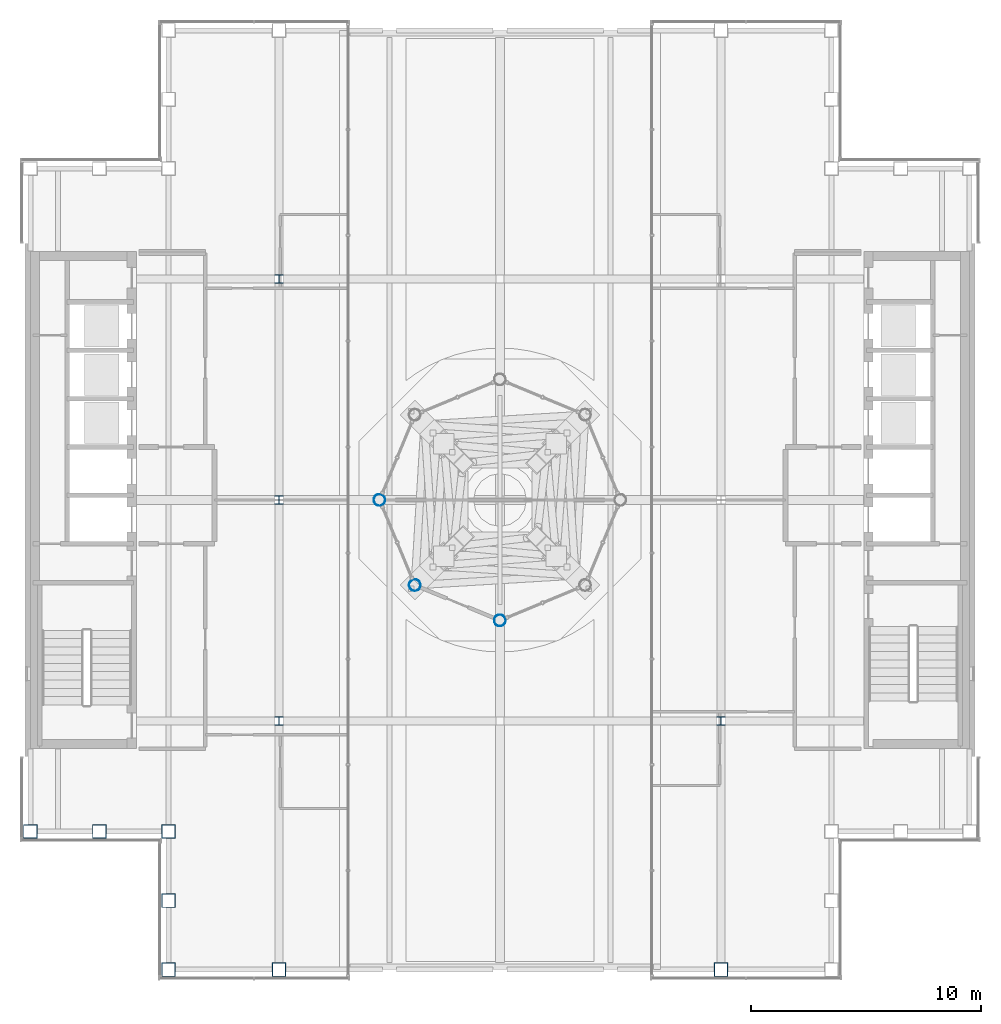
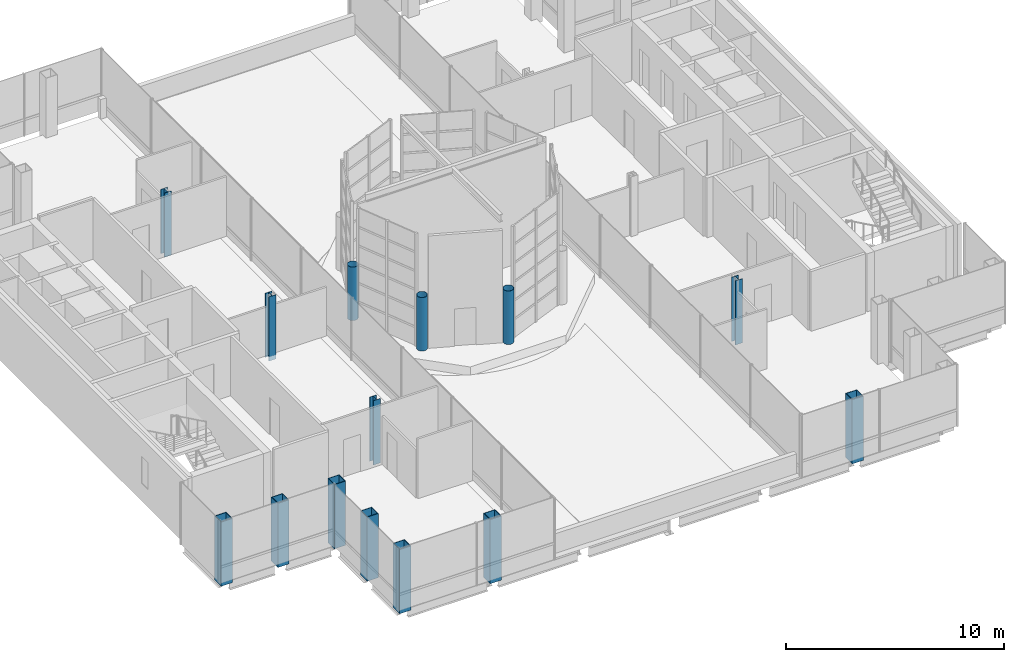
# One storey, part 1 of 32: 14 columns.
"""IFC4 building model written with IfcOpenShell, lengths in metres."""

from ifc_helpers import new_model, si_unit, direction, frame, origin, origin_2d, place, context, subcontext, project, spatial, hollow_rectangle, hollow_circle, i_section, extrude, material, material_profile, profile_set, type_object, element, save


model = new_model("IFC4")

# Units and contexts
model_context = context("Model", 3, precision=1e-05, world=origin(), true_north=direction((0.0, 1.0)))
body_context = subcontext(model_context, "Body", "Model", "MODEL_VIEW")
ifc_project = project(units=[si_unit("LENGTHUNIT", "METRE"), si_unit("AREAUNIT", "SQUARE_METRE"), si_unit("VOLUMEUNIT", "CUBIC_METRE"), si_unit("PLANEANGLEUNIT", "RADIAN"), si_unit("MASSUNIT", "GRAM", prefix="KILO")], contexts=[model_context])

# Site, building, storey
site_placement = place(None, origin())
site = spatial("IfcSite", under=ifc_project, at=site_placement, CompositionType="ELEMENT")
building_placement = place(site_placement, origin())
building = spatial("IfcBuilding", under=site, at=building_placement, Name="Cobrizo Arcos Hotel Tower", CompositionType="ELEMENT")
storey_placement = place(building_placement, frame((0.0, 0.0, 265.5)))
storey = spatial("IfcBuildingStorey", under=building, at=storey_placement, Name="L70", CompositionType="ELEMENT", Elevation=265.5)

# Columns
ifc_material_1 = material(Name="Steel ASTM A572 Grade 50", Category="steel")
ifc_material_profile_1 = material_profile(ifc_material_1, hollow_rectangle(XDim=0.60009765625, YDim=0.60009765625, WallThickness=0.030029296875, at=origin_2d()), Name="BOX 600X600X30")
ifc_profile_set_1 = profile_set([ifc_material_profile_1], Name="Steel ASTM A572 Grade 50")
column_type_1 = type_object("IfcColumnType", Name="BOX 600X600X30 column", PredefinedType="COLUMN", material=ifc_profile_set_1)
for number, where, z_axis, x_axis, name in (
    (1, (-14.39990234375, -20.39990234375, -0.25), (0.0, 0.0, 1.0), (1.0, 0.0, 0.0), "Perimeter column C12, L70, no. 01"),
    (2, (-9.60009765625, -20.39990234375, -0.25), (0.0, 0.0, 1.0), (1.0, 0.0, 0.0), "Perimeter column C12, L70, no. 03"),
    (3, (9.60009765625, -20.39990234375, -0.25), (0.0, 0.0, 1.0), (1.0, 0.0, 0.0), "Perimeter column C12, L70, no. 05"),
    (4, (-20.39990234375, -14.39990234375, -0.25), (0.0, 0.0, 1.0), (1.0, 0.0, 0.0), "Perimeter column C12, L70, no. 09"),
    (5, (-14.39990234375, -14.39990234375, -0.25), (0.0, 0.0, 1.0), (1.0, 0.0, 0.0), "Perimeter column C12, L70, no. 12"),
    (6, (-14.39990234375, -17.39990234375, -0.25), (0.0, 0.0, 1.0), (1.0, 0.0, 0.0), "Perimeter column C12, L70, no. 13"),
    (7, (-17.39990234375, -14.39990234375, -0.25), (0.0, 0.0, 1.0), (1.0, 0.0, 0.0), "Perimeter column C12, L70, no. 14"),
):
    element("IfcColumn", number, at=place(storey_placement, frame(where, z_axis=z_axis, x_axis=x_axis)), inside=storey, type_object=column_type_1, Name=name, PredefinedType="COLUMN", context=body_context, shape_type="SweptSolid", body=[
        extrude(hollow_rectangle(XDim=0.60009765625, YDim=0.60009765625, WallThickness=0.030029296875, at=origin_2d()), origin(), (0.0, 0.0, 1.0), 3.60009765625),
    ])
ifc_material_2 = material(Name="Steel ASTM A500 Grade C", Category="steel")
ifc_material_profile_2 = material_profile(ifc_material_2, hollow_circle(Radius=0.25390625, WallThickness=0.01171875, at=origin_2d()), Name="HSS20.000X0.500")
ifc_profile_set_2 = profile_set([ifc_material_profile_2], Name="Steel ASTM A500 Grade C")
column_type_2 = type_object("IfcColumnType", Name="HSS20.000X0.500 drum column", PredefinedType="COLUMN", material=ifc_profile_set_2)
for number, where, z_axis, x_axis, name in (
    (8, (-5.232666015625, 0.0, 0.5), (0.0, 0.0, 1.0), (1.0, 0.0, 0.0), "Drum column DC5, line 4, no. 0"),
    (9, (-3.699951171875, -3.699951171875, 0.5), (0.0, 0.0, 1.0), (1.0, 0.0, 0.0), "Drum column DC6, line 5, no. 0"),
    (10, (0.0, -5.232666015625, 0.5), (0.0, 0.0, 1.0), (1.0, 0.0, 0.0), "Drum column DC7, line 6, no. 0"),
):
    element("IfcColumn", number, at=place(storey_placement, frame(where, z_axis=z_axis, x_axis=x_axis)), inside=storey, type_object=column_type_2, Name=name, PredefinedType="COLUMN", context=body_context, shape_type="SweptSolid", body=[
        extrude(hollow_circle(Radius=0.25390625, WallThickness=0.01171875, at=origin_2d()), origin(), (0.0, 0.0, 1.0), 3.0),
    ])
ifc_material_3 = material(Name="Steel ASTM A992 Grade 50", Category="steel")
ifc_material_profile_3 = material_profile(ifc_material_3, i_section(OverallWidth=0.368408203125, OverallDepth=0.355712890625, WebThickness=0.01123046875, FlangeThickness=0.01806640625, at=origin_2d()), Name="W14X90")
ifc_profile_set_3 = profile_set([ifc_material_profile_3], Name="Steel ASTM A992 Grade 50")
column_type_3 = type_object("IfcColumnType", Name="W14X90 interior column", PredefinedType="COLUMN", material=ifc_profile_set_3)
for number, where, z_axis, x_axis, name in (
    (11, (-9.60009765625, -9.60009765625, -0.25), (0.0, 0.0, 1.0), (1.0, 0.0, 0.0), "Interior column C13, L70, no. 00"),
    (12, (-9.60009765625, 0.0, -0.25), (0.0, 0.0, 1.0), (1.0, 0.0, 0.0), "Interior column C13, L70, no. 01"),
    (13, (-9.60009765625, 9.60009765625, -0.25), (0.0, 0.0, 1.0), (1.0, 0.0, 0.0), "Interior column C13, L70, no. 02"),
    (14, (9.60009765625, -9.60009765625, -0.25), (0.0, 0.0, 1.0), (1.0, 0.0, 0.0), "Interior column C13, L70, no. 03"),
):
    element("IfcColumn", number, at=place(storey_placement, frame(where, z_axis=z_axis, x_axis=x_axis)), inside=storey, type_object=column_type_3, Name=name, PredefinedType="COLUMN", context=body_context, shape_type="SweptSolid", body=[
        extrude(i_section(OverallWidth=0.368408203125, OverallDepth=0.355712890625, WebThickness=0.01123046875, FlangeThickness=0.01806640625, at=origin_2d()), origin(), (0.0, 0.0, 1.0), 3.60009765625),
    ])

save(model, "model.ifc")
